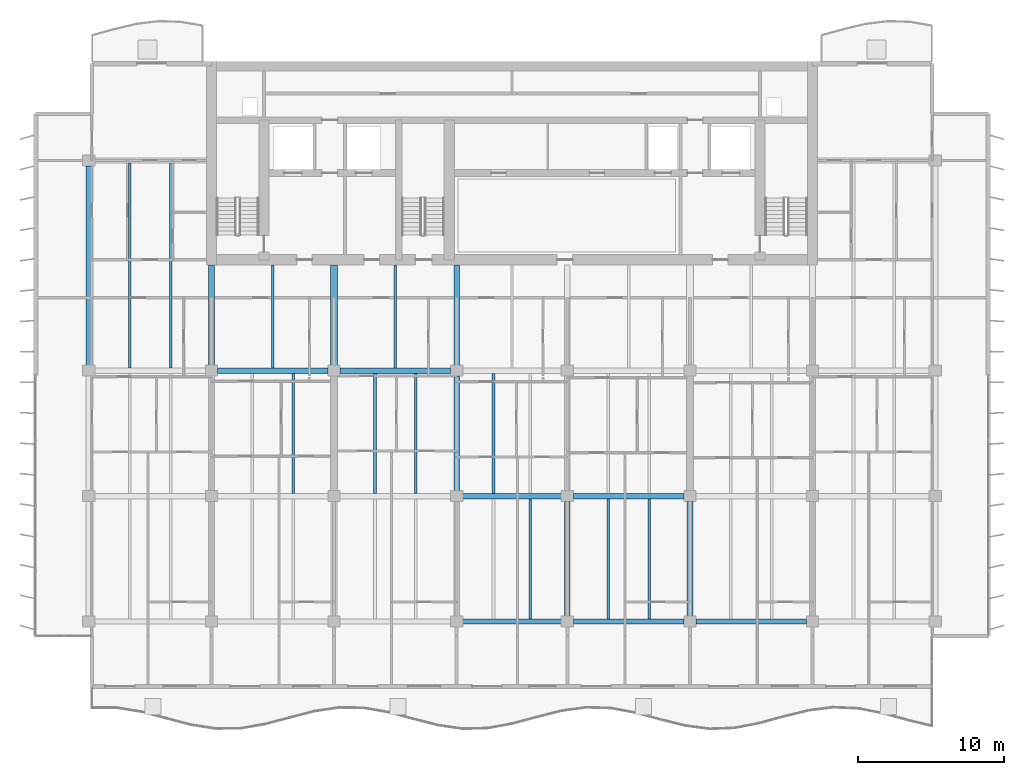
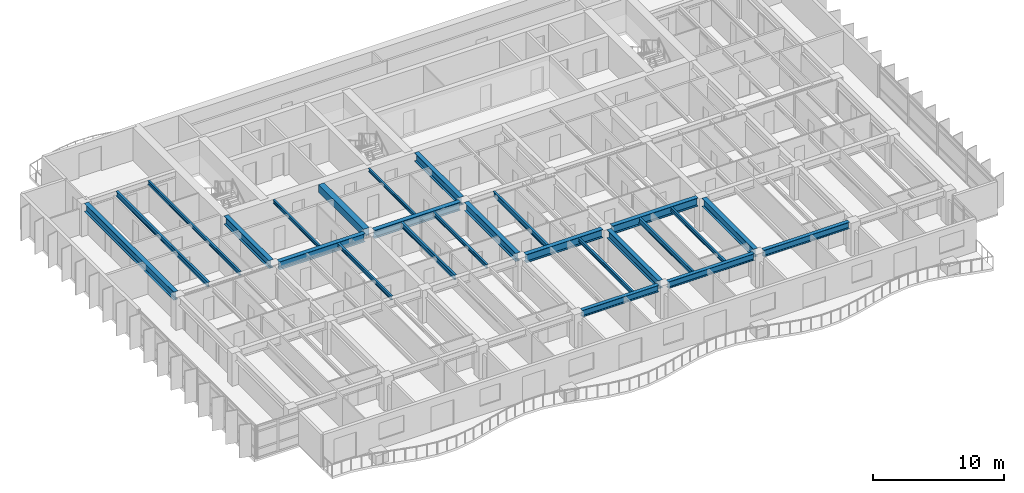
# One storey, part 3 of 19: 25 beams.
"""IFC4 building model written with IfcOpenShell, lengths in metres."""

from ifc_helpers import new_model, si_unit, direction, frame, origin, origin_2d, place, context, subcontext, project, spatial, rectangle, i_section, extrude, material, material_profile, profile_set, type_object, element, save


model = new_model("IFC4")

# Units and contexts
model_context = context("Model", 3, precision=1e-05, world=origin(), true_north=direction((0.0, 1.0)))
body_context = subcontext(model_context, "Body", "Model", "MODEL_VIEW")
ifc_project = project(units=[si_unit("LENGTHUNIT", "METRE"), si_unit("AREAUNIT", "SQUARE_METRE"), si_unit("VOLUMEUNIT", "CUBIC_METRE"), si_unit("PLANEANGLEUNIT", "RADIAN"), si_unit("MASSUNIT", "GRAM", prefix="KILO")], contexts=[model_context])

# Site, building, storey
site_placement = place(None, origin())
site = spatial("IfcSite", under=ifc_project, at=site_placement, CompositionType="ELEMENT")
building_placement = place(site_placement, origin())
building = spatial("IfcBuilding", under=site, at=building_placement, Name="Caelmar Bay Residences", CompositionType="ELEMENT")
storey_placement = place(building_placement, frame((0.0, 0.0, 214.800048828125)))
storey = spatial("IfcBuildingStorey", under=building, at=storey_placement, Name="L60", CompositionType="ELEMENT", Elevation=214.800048828125)

# Beams
ifc_material_1 = material(Name="Steel ASTM A992 Grade 50", Category="steel")
ifc_material_profile_1 = material_profile(ifc_material_1, i_section(OverallWidth=0.381103515625, OverallDepth=0.77197265625, WebThickness=0.0166015625, FlangeThickness=0.027099609375, FilletRadius=0.0166015625, at=origin_2d()), Name="W30X173")
ifc_profile_set_1 = profile_set([ifc_material_profile_1], Name="Steel ASTM A992 Grade 50")
beam_type_1 = type_object("IfcBeamType", Name="BM-GRD-W30X173", PredefinedType="BEAM", material=ifc_profile_set_1)
beam_1_placement = place(storey_placement, frame((35.514892578125, 20.800048828125, 2.6640625), z_axis=(1.0, 0.0, 0.0), x_axis=(0.0, 1.0, 0.0)))
element("IfcBeam", 1, at=beam_1_placement, inside=storey, type_object=beam_type_1, Name="L60 East-West Girder Y=20.80 (35.1-42.7)", PredefinedType="BEAM", context=body_context, shape_type="SweptSolid", body=[
    extrude(i_section(OverallWidth=0.381103515625, OverallDepth=0.77197265625, WebThickness=0.0166015625, FlangeThickness=0.027099609375, FilletRadius=0.0166015625, at=origin_2d()), origin(), (0.0, 0.0, 1.0), 6.77001953125),
])
beam_2_placement = place(storey_placement, frame((43.114990234375, 20.800048828125, 2.6640625), z_axis=(1.0, 0.0, 0.0), x_axis=(0.0, 1.0, 0.0)))
element("IfcBeam", 2, at=beam_2_placement, inside=storey, type_object=beam_type_1, Name="L60 East-West Girder Y=20.80 (42.7-51.1)", PredefinedType="BEAM", context=body_context, shape_type="SweptSolid", body=[
    extrude(i_section(OverallWidth=0.381103515625, OverallDepth=0.77197265625, WebThickness=0.0166015625, FlangeThickness=0.027099609375, FilletRadius=0.0166015625, at=origin_2d()), origin(), (0.0, 0.0, 1.0), 7.570068359375),
])
beam_3_placement = place(storey_placement, frame((18.715087890625, 29.39990234375, 2.6640625), z_axis=(1.0, 0.0, 0.0), x_axis=(0.0, 1.0, 0.0)))
element("IfcBeam", 3, at=beam_3_placement, inside=storey, type_object=beam_type_1, Name="L60 East-West Girder Y=29.40 (18.3-26.7)", PredefinedType="BEAM", context=body_context, shape_type="SweptSolid", body=[
    extrude(i_section(OverallWidth=0.381103515625, OverallDepth=0.77197265625, WebThickness=0.0166015625, FlangeThickness=0.027099609375, FilletRadius=0.0166015625, at=origin_2d()), origin(), (0.0, 0.0, 1.0), 7.56982421875),
])
beam_4_placement = place(storey_placement, frame((27.114990234375, 29.39990234375, 2.6640625), z_axis=(1.0, 0.0, 0.0), x_axis=(0.0, 1.0, 0.0)))
element("IfcBeam", 4, at=beam_4_placement, inside=storey, type_object=beam_type_1, Name="L60 East-West Girder Y=29.40 (26.7-35.1)", PredefinedType="BEAM", context=body_context, shape_type="SweptSolid", body=[
    extrude(i_section(OverallWidth=0.381103515625, OverallDepth=0.77197265625, WebThickness=0.0166015625, FlangeThickness=0.027099609375, FilletRadius=0.0166015625, at=origin_2d()), origin(), (0.0, 0.0, 1.0), 7.570068359375),
])
beam_5_placement = place(storey_placement, frame((9.89990234375, 29.764892578125, 2.6640625), z_axis=(0.0, 1.0, 0.0), x_axis=(-1.0, 0.0, 0.0)))
element("IfcBeam", 5, at=beam_5_placement, inside=storey, type_object=beam_type_1, Name="L60 North-South Girder X=9.90 (29.4-43.8)", PredefinedType="BEAM", context=body_context, shape_type="SweptSolid", body=[
    extrude(i_section(OverallWidth=0.381103515625, OverallDepth=0.77197265625, WebThickness=0.0166015625, FlangeThickness=0.027099609375, FilletRadius=0.0166015625, at=origin_2d()), origin(), (0.0, 0.0, 1.0), 13.670166015625),
])
for number, where, z_axis, x_axis, name in (
    (6, (18.300048828125, 29.764892578125, 2.6640625), (0.0, 1.0, 0.0), (-1.0, 0.0, 0.0), "L60 Core Tie Girder X=18.30"),
    (7, (35.10009765625, 29.764892578125, 2.6640625), (0.0, 1.0, 0.0), (-1.0, 0.0, 0.0), "L60 Core Tie Girder X=35.10"),
):
    element("IfcBeam", number, at=place(storey_placement, frame(where, z_axis=z_axis, x_axis=x_axis)), inside=storey, type_object=beam_type_1, Name=name, PredefinedType="BEAM", context=body_context, shape_type="SweptSolid", body=[
        extrude(i_section(OverallWidth=0.381103515625, OverallDepth=0.77197265625, WebThickness=0.0166015625, FlangeThickness=0.027099609375, FilletRadius=0.0166015625, at=origin_2d()), origin(), (0.0, 0.0, 1.0), 6.885009765625),
    ])
beam_6_placement = place(storey_placement, frame((35.10009765625, 21.1650390625, 2.6640625), z_axis=(0.0, 1.0, 0.0), x_axis=(-1.0, 0.0, 0.0)))
element("IfcBeam", 8, at=beam_6_placement, inside=storey, type_object=beam_type_1, Name="L60 North-South Girder X=35.10 (20.8-29.4)", PredefinedType="BEAM", context=body_context, shape_type="SweptSolid", body=[
    extrude(i_section(OverallWidth=0.381103515625, OverallDepth=0.77197265625, WebThickness=0.0166015625, FlangeThickness=0.027099609375, FilletRadius=0.0166015625, at=origin_2d()), origin(), (0.0, 0.0, 1.0), 7.869873046875),
])
for number, where, z_axis, x_axis, name in (
    (9, (42.699951171875, 12.56494140625, 2.6640625), (0.0, 1.0, 0.0), (-1.0, 0.0, 0.0), "L60 North-South Girder X=42.70 (12.2-20.8)"),
    (10, (51.10009765625, 12.56494140625, 2.6640625), (0.0, 1.0, 0.0), (-1.0, 0.0, 0.0), "L60 North-South Girder X=51.10 (12.2-20.8)"),
):
    element("IfcBeam", number, at=place(storey_placement, frame(where, z_axis=z_axis, x_axis=x_axis)), inside=storey, type_object=beam_type_1, Name=name, PredefinedType="BEAM", context=body_context, shape_type="SweptSolid", body=[
        extrude(i_section(OverallWidth=0.381103515625, OverallDepth=0.77197265625, WebThickness=0.0166015625, FlangeThickness=0.027099609375, FilletRadius=0.0166015625, at=origin_2d()), origin(), (0.0, 0.0, 1.0), 7.8701171875),
    ])
ifc_material_profile_2 = material_profile(ifc_material_1, i_section(OverallWidth=0.1650390625, OverallDepth=0.31005859375, WebThickness=0.005859375, FlangeThickness=0.009765625, FilletRadius=0.007568359375, at=origin_2d()), Name="W12X26")
ifc_profile_set_2 = profile_set([ifc_material_profile_2], Name="Steel ASTM A992 Grade 50")
beam_type_2 = type_object("IfcBeamType", Name="BM-JST-W12X26", PredefinedType="JOIST", material=ifc_profile_set_2)
for number, where, z_axis, x_axis, name in (
    (11, (22.5, 29.590576171875, 2.89501953125), (0.0, 1.0, 0.0), (-1.0, 0.0, 0.0), "L60 Core-Band Composite Joist 29"),
    (12, (30.89990234375, 29.590576171875, 2.89501953125), (0.0, 1.0, 0.0), (-1.0, 0.0, 0.0), "L60 Core-Band Composite Joist 30"),
):
    element("IfcBeam", number, at=place(storey_placement, frame(where, z_axis=z_axis, x_axis=x_axis)), inside=storey, type_object=beam_type_2, Name=name, PredefinedType="JOIST", context=body_context, shape_type="SweptSolid", body=[
        extrude(i_section(OverallWidth=0.1650390625, OverallDepth=0.31005859375, WebThickness=0.005859375, FlangeThickness=0.009765625, FilletRadius=0.007568359375, at=origin_2d()), origin(), (0.0, 0.0, 1.0), 7.059326171875),
    ])
ifc_material_profile_3 = material_profile(ifc_material_1, i_section(OverallWidth=0.1708984375, OverallDepth=0.35595703125, WebThickness=0.007080078125, FlangeThickness=0.01171875, FilletRadius=0.007568359375, at=origin_2d()), Name="W14X34")
ifc_profile_set_3 = profile_set([ifc_material_profile_3], Name="Steel ASTM A992 Grade 50")
beam_type_3 = type_object("IfcBeamType", Name="BM-JST-W14X34", PredefinedType="JOIST", material=ifc_profile_set_3)
for number, where, z_axis, x_axis, name in (
    (13, (40.166748046875, 12.362548828125, 2.8720703125), (0.0, 1.0, 0.0), (-1.0, 0.0, 0.0), "L60 Composite Floor Joist 8"),
    (14, (48.300048828125, 12.362548828125, 2.8720703125), (0.0, 1.0, 0.0), (-1.0, 0.0, 0.0), "L60 Composite Floor Joist 10"),
):
    element("IfcBeam", number, at=place(storey_placement, frame(where, z_axis=z_axis, x_axis=x_axis)), inside=storey, type_object=beam_type_3, Name=name, PredefinedType="JOIST", context=body_context, shape_type="SweptSolid", body=[
        extrude(i_section(OverallWidth=0.1708984375, OverallDepth=0.35595703125, WebThickness=0.007080078125, FlangeThickness=0.01171875, FilletRadius=0.007568359375, at=origin_2d()), origin(), (0.0, 0.0, 1.0), 8.2470703125),
    ])
for number, where, z_axis, x_axis, name in (
    (15, (23.89990234375, 20.990478515625, 2.8720703125), (0.0, 1.0, 0.0), (-1.0, 0.0, 0.0), "L60 Composite Floor Joist 18"),
    (16, (32.300048828125, 20.990478515625, 2.8720703125), (0.0, 1.0, 0.0), (-1.0, 0.0, 0.0), "L60 Composite Floor Joist 20"),
):
    element("IfcBeam", number, at=place(storey_placement, frame(where, z_axis=z_axis, x_axis=x_axis)), inside=storey, type_object=beam_type_3, Name=name, PredefinedType="JOIST", context=body_context, shape_type="SweptSolid", body=[
        extrude(i_section(OverallWidth=0.1708984375, OverallDepth=0.35595703125, WebThickness=0.007080078125, FlangeThickness=0.01171875, FilletRadius=0.007568359375, at=origin_2d()), origin(), (0.0, 0.0, 1.0), 8.218994140625),
    ])
beam_7_placement = place(storey_placement, frame((15.5, 29.590576171875, 2.8720703125), z_axis=(0.0, 1.0, 0.0), x_axis=(-1.0, 0.0, 0.0)))
element("IfcBeam", 17, at=beam_7_placement, inside=storey, type_object=beam_type_3, Name="L60 Composite Floor Joist 35", PredefinedType="JOIST", context=body_context, shape_type="SweptSolid", body=[
    extrude(i_section(OverallWidth=0.1708984375, OverallDepth=0.35595703125, WebThickness=0.007080078125, FlangeThickness=0.01171875, FilletRadius=0.007568359375, at=origin_2d()), origin(), (0.0, 0.0, 1.0), 14.046875),
])
ifc_material_profile_4 = material_profile(ifc_material_1, i_section(OverallWidth=0.19091796875, OverallDepth=0.45703125, WebThickness=0.009033203125, FlangeThickness=0.014404296875, FilletRadius=0.01025390625, at=origin_2d()), Name="W18X50")
ifc_profile_set_4 = profile_set([ifc_material_profile_4], Name="Steel ASTM A992 Grade 50")
beam_type_4 = type_object("IfcBeamType", Name="BM-JST-W18X50", PredefinedType="JOIST", material=ifc_profile_set_4)
beam_8_placement = place(storey_placement, frame((45.5, 12.362548828125, 2.821533203125), z_axis=(0.0, 1.0, 0.0), x_axis=(-1.0, 0.0, 0.0)))
element("IfcBeam", 18, at=beam_8_placement, inside=storey, type_object=beam_type_4, Name="L60 Composite Floor Joist 9", PredefinedType="JOIST", context=body_context, shape_type="SweptSolid", body=[
    extrude(i_section(OverallWidth=0.19091796875, OverallDepth=0.45703125, WebThickness=0.009033203125, FlangeThickness=0.014404296875, FilletRadius=0.01025390625, at=origin_2d()), origin(), (0.0, 0.0, 1.0), 8.2470703125),
])
for number, where, z_axis, x_axis, name in (
    (19, (29.5, 20.990478515625, 2.821533203125), (0.0, 1.0, 0.0), (-1.0, 0.0, 0.0), "L60 Composite Floor Joist 19"),
    (20, (37.63330078125, 20.990478515625, 2.821533203125), (0.0, 1.0, 0.0), (-1.0, 0.0, 0.0), "L60 Composite Floor Joist 21"),
):
    element("IfcBeam", number, at=place(storey_placement, frame(where, z_axis=z_axis, x_axis=x_axis)), inside=storey, type_object=beam_type_4, Name=name, PredefinedType="JOIST", context=body_context, shape_type="SweptSolid", body=[
        extrude(i_section(OverallWidth=0.19091796875, OverallDepth=0.45703125, WebThickness=0.009033203125, FlangeThickness=0.014404296875, FilletRadius=0.01025390625, at=origin_2d()), origin(), (0.0, 0.0, 1.0), 8.218994140625),
    ])
beam_9_placement = place(storey_placement, frame((12.699951171875, 29.590576171875, 2.821533203125), z_axis=(0.0, 1.0, 0.0), x_axis=(-1.0, 0.0, 0.0)))
element("IfcBeam", 21, at=beam_9_placement, inside=storey, type_object=beam_type_4, Name="L60 Composite Floor Joist 34", PredefinedType="JOIST", context=body_context, shape_type="SweptSolid", body=[
    extrude(i_section(OverallWidth=0.19091796875, OverallDepth=0.45703125, WebThickness=0.009033203125, FlangeThickness=0.014404296875, FilletRadius=0.01025390625, at=origin_2d()), origin(), (0.0, 0.0, 1.0), 14.046875),
])
ifc_material_2 = material(Name="Concrete f'c 55 MPa (8,000 psi)", Category="concrete")
ifc_material_profile_5 = material_profile(ifc_material_2, rectangle(XDim=0.5, YDim=0.699951171875, at=origin_2d()), Name="RC-BM-500X700")
ifc_profile_set_5 = profile_set([ifc_material_profile_5], Name="Concrete f'c 55 MPa (8,000 psi)")
beam_type_5 = type_object("IfcBeamType", Name="BM-RC-500X700", PredefinedType="LINTEL", material=ifc_profile_set_5)
beam_10_placement = place(storey_placement, frame((26.699951171875, 29.764892578125, 2.699951171875), z_axis=(0.0, 1.0, 0.0), x_axis=(-1.0, 0.0, 0.0)))
element("IfcBeam", 22, at=beam_10_placement, inside=storey, type_object=beam_type_5, Name="L60 Shear-Wall Corridor Coupling Lintel W5", PredefinedType="LINTEL", context=body_context, shape_type="SweptSolid", body=[
    extrude(rectangle(XDim=0.5, YDim=0.699951171875, at=origin_2d()), origin(), (0.0, 0.0, 1.0), 6.885009765625),
])
ifc_material_profile_6 = material_profile(ifc_material_1, i_section(OverallWidth=0.324951171875, OverallDepth=0.616943359375, WebThickness=0.013916015625, FlangeThickness=0.021484375, FilletRadius=0.0126953125, at=origin_2d()), Name="W24X117")
ifc_profile_set_6 = profile_set([ifc_material_profile_6], Name="Steel ASTM A992 Grade 50")
beam_type_6 = type_object("IfcBeamType", Name="BM-SPN-W24X117", PredefinedType="SPANDREL", material=ifc_profile_set_6)
beam_11_placement = place(storey_placement, frame((35.514892578125, 12.199951171875, 2.741455078125), z_axis=(1.0, 0.0, 0.0), x_axis=(0.0, 1.0, 0.0)))
element("IfcBeam", 23, at=beam_11_placement, inside=storey, type_object=beam_type_6, Name="L60 East-West Girder Y=12.20 (35.1-42.7)", PredefinedType="SPANDREL", context=body_context, shape_type="SweptSolid", body=[
    extrude(i_section(OverallWidth=0.324951171875, OverallDepth=0.616943359375, WebThickness=0.013916015625, FlangeThickness=0.021484375, FilletRadius=0.0126953125, at=origin_2d()), origin(), (0.0, 0.0, 1.0), 6.77001953125),
])
for number, where, z_axis, x_axis, name in (
    (24, (43.114990234375, 12.199951171875, 2.741455078125), (1.0, 0.0, 0.0), (0.0, 1.0, 0.0), "L60 East-West Girder Y=12.20 (42.7-51.1)"),
    (25, (51.514892578125, 12.199951171875, 2.741455078125), (1.0, 0.0, 0.0), (0.0, 1.0, 0.0), "L60 East-West Girder Y=12.20 (51.1-59.5)"),
):
    element("IfcBeam", number, at=place(storey_placement, frame(where, z_axis=z_axis, x_axis=x_axis)), inside=storey, type_object=beam_type_6, Name=name, PredefinedType="SPANDREL", context=body_context, shape_type="SweptSolid", body=[
        extrude(i_section(OverallWidth=0.324951171875, OverallDepth=0.616943359375, WebThickness=0.013916015625, FlangeThickness=0.021484375, FilletRadius=0.0126953125, at=origin_2d()), origin(), (0.0, 0.0, 1.0), 7.570068359375),
    ])

save(model, "model.ifc")
